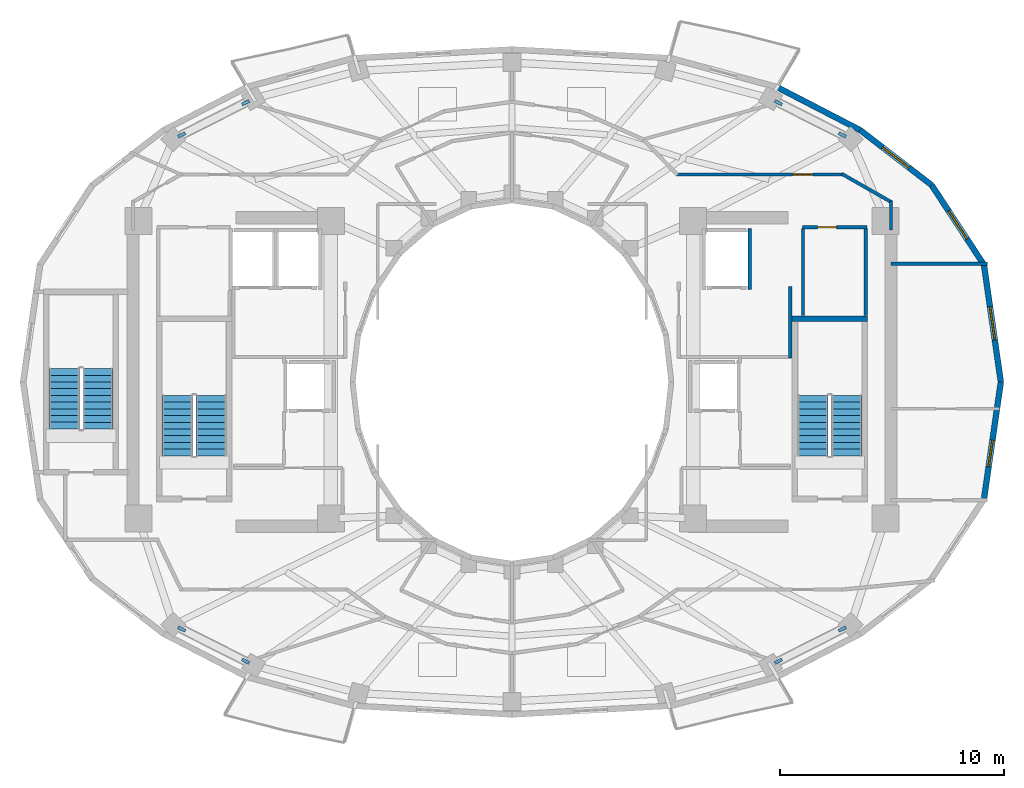
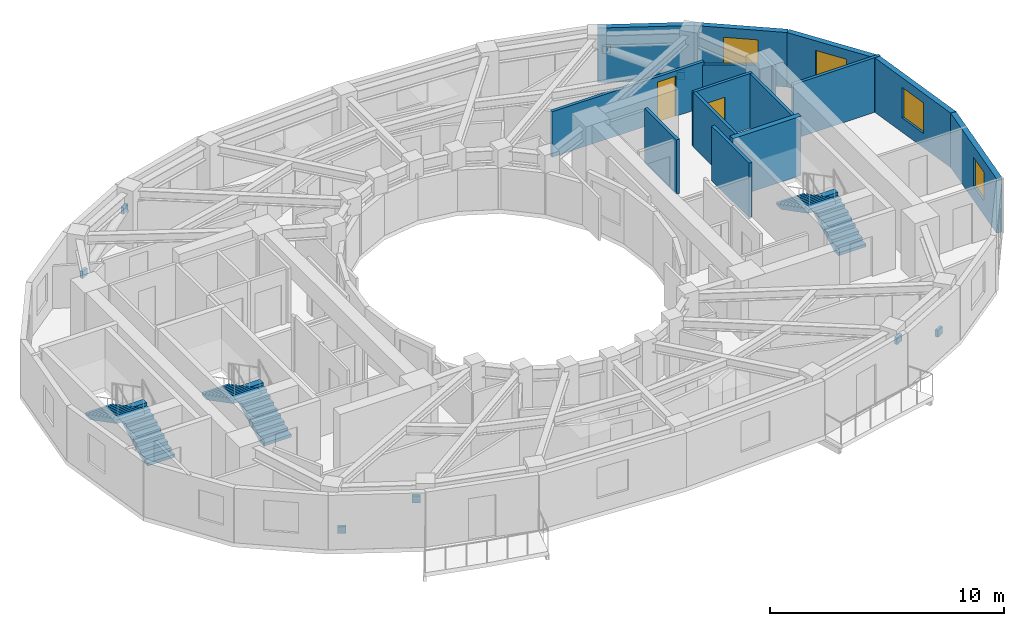
# One storey, part 7 of 10: 15 walls, 8 discrete accessories, 6 stair flights, 4 windows, 2 doors, 6 openings, 3 elements without a shape of their own.
"""IFC4 building model written with IfcOpenShell, lengths in metres."""

from ifc_helpers import new_model, si_unit, direction, frame, frame_2d, origin, origin_2d, place, context, subcontext, project, spatial, polyline, rectangle, outline, extrude, material, layer, layer_set, type_object, element, fill, aggregate, save


model = new_model("IFC4")

# Units and contexts
model_context = context("Model", 3, precision=1e-05, world=origin(), true_north=direction((0.0, 1.0)))
body_context = subcontext(model_context, "Body", "Model", "MODEL_VIEW")
ifc_project = project(units=[si_unit("LENGTHUNIT", "METRE"), si_unit("AREAUNIT", "SQUARE_METRE"), si_unit("VOLUMEUNIT", "CUBIC_METRE"), si_unit("PLANEANGLEUNIT", "RADIAN"), si_unit("MASSUNIT", "GRAM", prefix="KILO")], contexts=[model_context])

# Site, building, storey
site_placement = place(None, origin())
site = spatial("IfcSite", under=ifc_project, at=site_placement, CompositionType="ELEMENT")
building_placement = place(site_placement, origin())
building = spatial("IfcBuilding", under=site, at=building_placement, Name="Solvane Sanctuary Tower", CompositionType="ELEMENT")
storey_placement = place(building_placement, frame((0.0, 0.0, 204.699951171875)))
storey = spatial("IfcBuildingStorey", under=building, at=storey_placement, Name="L62", CompositionType="ELEMENT", Elevation=204.699951171875)

# Walls
ifc_material_1 = material(Name="Acoustic Gypsum Partition Board")
ifc_layer_1 = layer(ifc_material_1, 0.14990234375, Name="Acoustic Gypsum Partition Board")
ifc_layer_set_1 = layer_set([ifc_layer_1], Name="Acoustic Gypsum Partition Board")
wall_type_1 = type_object("IfcWallType", Name="Wall W-CORR-150", PredefinedType="PARTITIONING", material=ifc_layer_set_1)
wall_1_placement = place(storey_placement, frame((44.449951171875, 24.080078125, 0.0), z_axis=(0.0, 0.0, 1.0), x_axis=(0.0, 1.0, 0.0)))
element("IfcWall", 1, at=wall_1_placement, inside=storey, type_object=wall_type_1, Name="L62 East Firefighting Lobby East Wall", PredefinedType="PARTITIONING", context=body_context, shape_type="SweptSolid", body=[
    extrude(rectangle(XDim=3.199951171875, YDim=0.14990234375, at=frame_2d((1.60009765625, 0.0))), origin(), (0.0, 0.0, 1.0), 2.85498046875),
])
wall_2_placement = place(storey_placement, frame((48.949951171875, 28.281494140625, 0.0), z_axis=(0.0, 0.0, 1.0), x_axis=(1.0, 0.0, 0.0)))
element("IfcWall", 2, at=wall_2_placement, inside=storey, type_object=wall_type_1, Name="L62 East Shoulder North Wall", PredefinedType="PARTITIONING", context=body_context, shape_type="SweptSolid", body=[
    extrude(rectangle(XDim=4.3203125, YDim=0.14990234375, at=frame_2d((2.16015625, 0.0))), origin(), (0.0, 0.0, 1.0), 2.85498046875),
])
wall_3_placement = place(storey_placement, frame((48.949951171875, 29.800048828125, 0.0), z_axis=(0.0, 0.0, 1.0), x_axis=(0.0, 1.0, 0.0)))
element("IfcWall", 3, at=wall_3_placement, inside=storey, type_object=wall_type_1, Name="L62 NE Corner Closer 1", PredefinedType="PARTITIONING", context=body_context, shape_type="SweptSolid", body=[
    extrude(rectangle(XDim=1.2900390625, YDim=0.14990234375, at=frame_2d((0.64501953125, 0.0))), origin(), (0.0, 0.0, 1.0), 2.85498046875),
])

# Wall, opening, door
wall_4_placement = place(storey_placement, frame((39.330078125, 32.280029296875, 0.0), z_axis=(0.0, 0.0, 1.0), x_axis=(1.0, 0.0, 0.0)))
wall_4 = element("IfcWall", 4, at=wall_4_placement, inside=storey, type_object=wall_type_1, Name="L62 NE Corner Corridor Wall", PredefinedType="PARTITIONING", context=body_context, shape_type="SweptSolid", body=[
    extrude(rectangle(XDim=7.52001953125, YDim=0.14990234375, at=frame_2d((3.760009765625, 0.0))), origin(), (0.0, 0.0, 1.0), 2.3759765625),
])
opening_1_placement = place(wall_4_placement, frame((5.219970703125, 0.0, 0.0)))
opening_1 = element("IfcOpeningElement", 5, at=opening_1_placement, cuts=wall_4, Name="Opening D-L62-22", PredefinedType="OPENING", context=body_context, shape_type="SweptSolid", body=[
    extrude(rectangle(XDim=0.89990234375, YDim=2.10009765625, at=frame_2d((0.449951171875, 1.050048828125))), frame((0.0, 0.0849609375, 0.0), z_axis=(0.0, -1.0, 0.0), x_axis=(1.0, 0.0, 0.0)), (0.0, 0.0, 1.0), 0.169921875),
])
ifc_material_2 = material(Name="Engineered Tropical Hardwood", Category="wood")
door_type_1 = type_object("IfcDoorType", Name="Door D-WET-900", OperationType="NOTDEFINED", PredefinedType="DOOR", material=ifc_material_2)
door_1_placement = place(opening_1_placement, origin())
door_1 = element("IfcDoor", 6, at=door_1_placement, inside=storey, type_object=door_type_1, Name="L62 NE Corner Salon Door", OperationType="SINGLE_SWING_LEFT", OverallHeight=2.10009765625, OverallWidth=0.89990234375, PredefinedType="DOOR", context=body_context, shape_type="SweptSolid", body=[
    extrude(rectangle(XDim=0.89990234375, YDim=2.10009765625, at=frame_2d((0.449951171875, 1.050048828125))), frame((0.0, 0.02490234375, 0.0), z_axis=(0.0, -1.0, 0.0), x_axis=(1.0, 0.0, 0.0)), (0.0, 0.0, 1.0), 0.050048828125),
])
fill(opening_1, door_1)

# Wall
wall_5_placement = place(storey_placement, frame((46.756591796875, 32.3046875, 0.0), z_axis=(0.0, 0.0, 1.0), x_axis=(0.867991349648, -0.496579315857, 0.0)))
element("IfcWall", 7, at=wall_5_placement, inside=storey, type_object=wall_type_1, Name="L62 NE Corner Wing Wall", PredefinedType="PARTITIONING", context=body_context, shape_type="SweptSolid", body=[
    extrude(rectangle(XDim=2.56689453125, YDim=0.14990234375, at=frame_2d((1.283447265625, 0.0))), origin(), (0.0, 0.0, 1.0), 2.219970703125),
])

# Wall, opening, window
ifc_material_3 = material(Name="Precast concrete C40/50", Category="concrete")
ifc_layer_2 = layer(ifc_material_3, 0.260009765625, Name="Precast concrete C40/50")
ifc_layer_set_2 = layer_set([ifc_layer_2], Name="Precast concrete C40/50")
wall_type_2 = type_object("IfcWallType", Name="Wall W-EXT-250", PredefinedType="STANDARD", material=ifc_layer_set_2)
wall_6_placement = place(storey_placement, frame((53.860107421875, 23.0, 0.0), z_axis=(0.0, 0.0, 1.0), x_axis=(-0.142712754019, 0.989764148593, 0.0)))
wall_6 = element("IfcWall", 8, at=wall_6_placement, inside=storey, type_object=wall_type_2, Name="L62 Ceramic-Printed Facade Wall 00", PredefinedType="STANDARD", context=body_context, shape_type="SweptSolid", body=[
    extrude(rectangle(XDim=5.29296875, YDim=0.260009765625, at=frame_2d((2.646484375, 0.0))), origin(), (0.0, 0.0, 1.0), 2.85009765625),
])
opening_2_placement = place(wall_6_placement, frame((1.896484375, 0.0, 0.75)))
opening_2 = element("IfcOpeningElement", 9, at=opening_2_placement, cuts=wall_6, Name="Opening WN-OPER-1500", PredefinedType="OPENING", context=body_context, shape_type="SweptSolid", body=[
    extrude(rectangle(XDim=1.5, YDim=1.60009765625, at=frame_2d((0.75, 0.800048828125))), frame((0.0, 0.139892578125, 0.0), z_axis=(0.0, -1.0, 0.0), x_axis=(1.0, 0.0, 0.0)), (0.0, 0.0, 1.0), 0.280029296875),
])
ifc_material_4 = material(Name="Dark Ceramic-Fritted Low-E Glass", Category="glass")
window_type_1 = type_object("IfcWindowType", Name="Window WN-OPER-1500", PartitioningType="SINGLE_PANEL", PredefinedType="WINDOW", material=ifc_material_4)
window_1_placement = place(opening_2_placement, origin())
window_1 = element("IfcWindow", 10, at=window_1_placement, inside=storey, type_object=window_type_1, Name="L62 Operable Facade Window 00", OverallHeight=1.60009765625, OverallWidth=1.5, PartitioningType="SINGLE_PANEL", PredefinedType="WINDOW", context=body_context, shape_type="SweptSolid", body=[
    extrude(rectangle(XDim=1.5, YDim=1.60009765625, at=frame_2d((0.75, 0.800048828125))), frame((0.0, 0.030029296875, 0.0), z_axis=(0.0, -1.0, 0.0), x_axis=(1.0, 0.0, 0.0)), (0.0, 0.0, 1.0), 0.06005859375),
])
fill(opening_2, window_1)

wall_7_placement = place(storey_placement, frame((53.104736328125, 28.23876953125, 0.0), z_axis=(0.0, 0.0, 1.0), x_axis=(-0.548776305075, 0.835969238064, 0.0)))
wall_7 = element("IfcWall", 11, at=wall_7_placement, inside=storey, type_object=wall_type_2, Name="L62 Ceramic-Printed Facade Wall 01", PredefinedType="STANDARD", context=body_context, shape_type="SweptSolid", body=[
    extrude(rectangle(XDim=4.270751953125, YDim=0.260009765625, at=frame_2d((2.13525390625, 0.0))), origin(), (0.0, 0.0, 1.0), 2.85009765625),
])
opening_3_placement = place(wall_7_placement, frame((1.385498046875, 0.0, 0.75)))
opening_3 = element("IfcOpeningElement", 12, at=opening_3_placement, cuts=wall_7, Name="Opening WN-OPER-1500", PredefinedType="OPENING", context=body_context, shape_type="SweptSolid", body=[
    extrude(rectangle(XDim=1.5, YDim=1.60009765625, at=frame_2d((0.75, 0.800048828125))), frame((0.0, 0.139892578125, 0.0), z_axis=(0.0, -1.0, 0.0), x_axis=(1.0, 0.0, 0.0)), (0.0, 0.0, 1.0), 0.280029296875),
])
window_2_placement = place(opening_3_placement, origin())
window_2 = element("IfcWindow", 13, at=window_2_placement, inside=storey, type_object=window_type_1, Name="L62 Operable Facade Window 01", OverallHeight=1.60009765625, OverallWidth=1.5, PartitioningType="SINGLE_PANEL", PredefinedType="WINDOW", context=body_context, shape_type="SweptSolid", body=[
    extrude(rectangle(XDim=1.5, YDim=1.60009765625, at=frame_2d((0.75, 0.800048828125))), frame((0.0, 0.030029296875, 0.0), z_axis=(0.0, -1.0, 0.0), x_axis=(1.0, 0.0, 0.0)), (0.0, 0.0, 1.0), 0.06005859375),
])
fill(opening_3, window_2)

wall_8_placement = place(storey_placement, frame((50.760986328125, 31.80908203125, 0.0), z_axis=(0.0, 0.0, 1.0), x_axis=(-0.792713817907, 0.609593965603, 0.0)))
wall_8 = element("IfcWall", 14, at=wall_8_placement, inside=storey, type_object=wall_type_2, Name="L62 Ceramic-Printed Facade Wall 02", PredefinedType="STANDARD", context=body_context, shape_type="SweptSolid", body=[
    extrude(rectangle(XDim=4.041015625, YDim=0.260009765625, at=frame_2d((2.0205078125, 0.0))), origin(), (0.0, 0.0, 1.0), 2.85009765625),
])
opening_4_placement = place(wall_8_placement, frame((1.2705078125, 0.0, 0.75)))
opening_4 = element("IfcOpeningElement", 15, at=opening_4_placement, cuts=wall_8, Name="Opening WN-OPER-1500", PredefinedType="OPENING", context=body_context, shape_type="SweptSolid", body=[
    extrude(rectangle(XDim=1.5, YDim=1.60009765625, at=frame_2d((0.75, 0.800048828125))), frame((0.0, 0.139892578125, 0.0), z_axis=(0.0, -1.0, 0.0), x_axis=(1.0, 0.0, 0.0)), (0.0, 0.0, 1.0), 0.280029296875),
])
window_3_placement = place(opening_4_placement, origin())
window_3 = element("IfcWindow", 16, at=window_3_placement, inside=storey, type_object=window_type_1, Name="L62 Operable Facade Window 02", OverallHeight=1.60009765625, OverallWidth=1.5, PartitioningType="SINGLE_PANEL", PredefinedType="WINDOW", context=body_context, shape_type="SweptSolid", body=[
    extrude(rectangle(XDim=1.5, YDim=1.60009765625, at=frame_2d((0.75, 0.800048828125))), frame((0.0, 0.030029296875, 0.0), z_axis=(0.0, -1.0, 0.0), x_axis=(1.0, 0.0, 0.0)), (0.0, 0.0, 1.0), 0.06005859375),
])
fill(opening_4, window_3)

# Wall
wall_9_placement = place(storey_placement, frame((47.5576171875, 34.2724609375, 0.0), z_axis=(0.0, 0.0, 1.0), x_axis=(-0.88849146803, 0.458893137057, 0.0)))
element("IfcWall", 17, at=wall_9_placement, inside=storey, type_object=wall_type_2, Name="L62 Ceramic-Printed Facade Wall 03", PredefinedType="STANDARD", context=body_context, shape_type="SweptSolid", body=[
    extrude(rectangle(XDim=4.150390625, YDim=0.260009765625, at=frame_2d((2.0751953125, 0.0))), origin(), (0.0, 0.0, 1.0), 2.85009765625),
])

# Wall, opening, window
wall_10_placement = place(storey_placement, frame((53.104736328125, 17.76123046875, 0.0), z_axis=(0.0, 0.0, 1.0), x_axis=(0.142712754019, 0.989764148593, 0.0)))
wall_10 = element("IfcWall", 18, at=wall_10_placement, inside=storey, type_object=wall_type_2, Name="L62 Ceramic-Printed Facade Wall 23", PredefinedType="STANDARD", context=body_context, shape_type="SweptSolid", body=[
    extrude(rectangle(XDim=5.29296875, YDim=0.260009765625, at=frame_2d((2.646484375, 0.0))), origin(), (0.0, 0.0, 1.0), 2.85009765625),
])
opening_5_placement = place(wall_10_placement, frame((1.46533203125, 0.0, 0.75)))
opening_5 = element("IfcOpeningElement", 19, at=opening_5_placement, cuts=wall_10, Name="Opening WN-OPER-1200", PredefinedType="OPENING", context=body_context, shape_type="SweptSolid", body=[
    extrude(rectangle(XDim=1.199951171875, YDim=1.5, at=frame_2d((0.60009765625, 0.75))), frame((0.0, 0.139892578125, 0.0), z_axis=(0.0, -1.0, 0.0), x_axis=(1.0, 0.0, 0.0)), (0.0, 0.0, 1.0), 0.280029296875),
])
window_type_2 = type_object("IfcWindowType", Name="Window WN-OPER-1200", PartitioningType="SINGLE_PANEL", PredefinedType="WINDOW", material=ifc_material_4)
window_4_placement = place(opening_5_placement, origin())
window_4 = element("IfcWindow", 20, at=window_4_placement, inside=storey, type_object=window_type_2, Name="L62 Operable Facade Window 23", OverallHeight=1.5, OverallWidth=1.199951171875, PartitioningType="SINGLE_PANEL", PredefinedType="WINDOW", context=body_context, shape_type="SweptSolid", body=[
    extrude(rectangle(XDim=1.199951171875, YDim=1.5, at=frame_2d((0.60009765625, 0.75))), frame((0.0, 0.030029296875, 0.0), z_axis=(0.0, -1.0, 0.0), x_axis=(1.0, 0.0, 0.0)), (0.0, 0.0, 1.0), 0.06005859375),
])
fill(opening_5, window_4)

# Walls
ifc_material_5 = material(Name="Concrete C50/60", Category="concrete")
ifc_layer_3 = layer(ifc_material_5, 0.14990234375, Name="Concrete C50/60")
ifc_layer_set_3 = layer_set([ifc_layer_3], Name="Concrete C50/60")
wall_type_3 = type_object("IfcWallType", Name="Wall W-SHAFT-150", PredefinedType="SOLIDWALL", material=ifc_layer_set_3)
wall_11_placement = place(storey_placement, frame((42.6298828125, 27.139892578125, 0.0), z_axis=(0.0, 0.0, 1.0), x_axis=(0.0, 1.0, 0.0)))
element("IfcWall", 21, at=wall_11_placement, inside=storey, type_object=wall_type_3, Name="L62 FFL-2 Lift Shaft Wall S2", PredefinedType="SOLIDWALL", context=body_context, shape_type="SweptSolid", body=[
    extrude(rectangle(XDim=2.72021484375, YDim=0.14990234375, at=frame_2d((1.360107421875, 0.0))), origin(), (0.0, 0.0, 1.0), 2.85498046875),
])
ifc_layer_4 = layer(ifc_material_5, 0.25, Name="Concrete C50/60")
ifc_layer_set_4 = layer_set([ifc_layer_4], Name="Concrete C50/60")
wall_type_4 = type_object("IfcWallType", Name="Wall W-SHAFT-250", PredefinedType="SOLIDWALL", material=ifc_layer_set_4)
wall_12_placement = place(storey_placement, frame((44.52490234375, 25.830078125, 0.0), z_axis=(0.0, 0.0, 1.0), x_axis=(1.0, 0.0, 0.0)))
element("IfcWall", 22, at=wall_12_placement, inside=storey, type_object=wall_type_4, Name="L62 ST-2 Load-Bearing Shaft Wall N", PredefinedType="SOLIDWALL", context=body_context, shape_type="SweptSolid", body=[
    extrude(rectangle(XDim=3.3701171875, YDim=0.25, at=frame_2d((1.68505859375, 0.0))), origin(), (0.0, 0.0, 1.0), 3.10009765625),
])

# Wall, opening, door
ifc_layer_5 = layer(ifc_material_1, 0.139892578125, Name="Acoustic Gypsum Partition Board")
ifc_layer_set_5 = layer_set([ifc_layer_5], Name="Acoustic Gypsum Partition Board")
wall_type_5 = type_object("IfcWallType", Name="Wall W-WET-140", PredefinedType="PLUMBINGWALL", material=ifc_layer_set_5)
wall_13_placement = place(storey_placement, frame((44.97998046875, 29.919921875, 0.0), z_axis=(0.0, 0.0, 1.0), x_axis=(1.0, 0.0, 0.0)))
wall_13 = element("IfcWall", 23, at=wall_13_placement, inside=storey, type_object=wall_type_5, Name="L62 Core Service Front Wall KE0", PredefinedType="PLUMBINGWALL", context=body_context, shape_type="SweptSolid", body=[
    extrude(rectangle(XDim=2.89990234375, YDim=0.139892578125, at=frame_2d((1.449951171875, 0.0))), origin(), (0.0, 0.0, 1.0), 2.85498046875),
])
opening_6_placement = place(wall_13_placement, frame((0.685546875, 0.0, 0.0)))
opening_6 = element("IfcOpeningElement", 24, at=opening_6_placement, cuts=wall_13, Name="Opening D-L62-15", PredefinedType="OPENING", context=body_context, shape_type="SweptSolid", body=[
    extrude(rectangle(XDim=0.85009765625, YDim=2.050048828125, at=frame_2d((0.425048828125, 1.02490234375))), frame((0.0, 0.079833984375, 0.0), z_axis=(0.0, -1.0, 0.0), x_axis=(1.0, 0.0, 0.0)), (0.0, 0.0, 1.0), 0.159912109375),
])
ifc_material_6 = material(Name="Architectural Stainless Steel 316", Category="steel")
door_type_2 = type_object("IfcDoorType", Name="Door D-RISER", OperationType="NOTDEFINED", PredefinedType="DOOR", material=ifc_material_6)
door_2_placement = place(opening_6_placement, origin())
door_2 = element("IfcDoor", 25, at=door_2_placement, inside=storey, type_object=door_type_2, Name="L62 Core Service Room Door KE0-1", OperationType="SINGLE_SWING_RIGHT", OverallHeight=2.050048828125, OverallWidth=0.85009765625, PredefinedType="DOOR", context=body_context, shape_type="SweptSolid", body=[
    extrude(rectangle(XDim=0.85009765625, YDim=2.050048828125, at=frame_2d((0.425048828125, 1.02490234375))), frame((0.0, 0.02490234375, 0.0), z_axis=(0.0, -1.0, 0.0), x_axis=(1.0, 0.0, 0.0)), (0.0, 0.0, 1.0), 0.050048828125),
])
fill(opening_6, door_2)

# Walls
for number, where, z_axis, x_axis, name in (
    (26, (45.02001953125, 25.97998046875, 0.0), (0.0, 0.0, 1.0), (0.0, 1.0, 0.0), "L62 Core Service Side Wall KE0-1"),
    (27, (47.820068359375, 25.97998046875, 0.0), (0.0, 0.0, 1.0), (0.0, 1.0, 0.0), "L62 Core Service Side Wall KE0-2"),
):
    element("IfcWall", number, at=place(storey_placement, frame(where, z_axis=z_axis, x_axis=x_axis)), inside=storey, type_object=wall_type_5, Name=name, PredefinedType="PLUMBINGWALL", context=body_context, shape_type="SweptSolid", body=[
        extrude(rectangle(XDim=3.880126953125, YDim=0.139892578125, at=frame_2d((1.93994140625, 0.0))), origin(), (0.0, 0.0, 1.0), 2.85498046875),
    ])

# Stair, stair flights
ifc_material_7 = material(Name="Concrete C45/55", Category="concrete")
stair_type = type_object("IfcStairType", Name="Stair ST-TOW", PredefinedType="HALF_TURN_STAIR", material=ifc_material_7)
stair_1_placement = place(storey_placement, origin())
stair_1 = element("IfcStair", 28, at=stair_1_placement, inside=storey, type_object=stair_type, Name="L62 Exit Stair ST-1 West Core", PredefinedType="HALF_TURN_STAIR")
stair_flight_type = type_object("IfcStairFlightType", Name="StairFlight SF-TOW", PredefinedType="STRAIGHT", material=ifc_material_7)
stair_flight_1_placement = place(storey_placement, frame((18.544921875, 19.699951171875, 0.0), z_axis=(0.0, 0.0, 1.0), x_axis=(0.0, 1.0, 0.0)))
stair_flight_1 = element("IfcStairFlight", 29, at=stair_flight_1_placement, type_object=stair_flight_type, Name="ST-1 flight 1", NumberOfRisers=10, NumberOfTreads=9, PredefinedType="STRAIGHT", RiserHeight=0.155, TreadLength=0.3, context=body_context, shape_type="SweptSolid", body=[
    extrude(outline(polyline([(0.0, 0.0), (0.0, 0.155029296875), (0.300048828125, 0.155029296875), (0.300048828125, 0.31005859375), (0.60009765625, 0.31005859375), (0.60009765625, 0.465087890625), (0.89990234375, 0.465087890625), (0.89990234375, 0.6201171875), (1.199951171875, 0.6201171875), (1.199951171875, 0.77490234375), (1.5, 0.77490234375), (1.5, 0.929931640625), (1.800048828125, 0.929931640625), (1.800048828125, 1.0849609375), (2.10009765625, 1.0849609375), (2.10009765625, 1.239990234375), (2.39990234375, 1.239990234375), (2.39990234375, 1.39501953125), (2.699951171875, 1.39501953125), (2.699951171875, 1.550048828125), (2.699951171875, 1.1923828125), (0.39208984375, 0.0), (0.0, 0.0)])), frame((0.0, 0.675048828125, 0.0), z_axis=(0.0, -1.0, 0.0), x_axis=(1.0, 0.0, 0.0)), (0.0, 0.0, 1.0), 1.35009765625),
])
stair_flight_2_placement = place(storey_placement, frame((17.034912109375, 22.39990234375, 1.550048828125), z_axis=(0.0, 0.0, 1.0), x_axis=(0.0, -1.0, 0.0)))
stair_flight_2 = element("IfcStairFlight", 30, at=stair_flight_2_placement, type_object=stair_flight_type, Name="ST-1 flight 2", NumberOfRisers=10, NumberOfTreads=9, PredefinedType="STRAIGHT", RiserHeight=0.155, TreadLength=0.3, context=body_context, shape_type="SweptSolid", body=[
    extrude(outline(polyline([(0.0, 0.0), (0.0, 0.155029296875), (0.300048828125, 0.155029296875), (0.300048828125, 0.31005859375), (0.60009765625, 0.31005859375), (0.60009765625, 0.465087890625), (0.89990234375, 0.465087890625), (0.89990234375, 0.6201171875), (1.199951171875, 0.6201171875), (1.199951171875, 0.77490234375), (1.5, 0.77490234375), (1.5, 0.929931640625), (1.800048828125, 0.929931640625), (1.800048828125, 1.0849609375), (2.10009765625, 1.0849609375), (2.10009765625, 1.239990234375), (2.39990234375, 1.239990234375), (2.39990234375, 1.39501953125), (2.699951171875, 1.39501953125), (2.699951171875, 1.550048828125), (2.699951171875, 1.1923828125), (0.39208984375, 0.0), (0.0, 0.0)])), frame((0.0, 0.675048828125, 0.0), z_axis=(0.0, -1.0, 0.0), x_axis=(1.0, 0.0, 0.0)), (0.0, 0.0, 1.0), 1.35009765625),
])
aggregate(stair_1, [stair_flight_1, stair_flight_2])

stair_2_placement = place(storey_placement, origin())
stair_2 = element("IfcStair", 31, at=stair_2_placement, inside=storey, type_object=stair_type, Name="L62 Exit Stair ST-2 East Core", PredefinedType="HALF_TURN_STAIR")
stair_flight_3_placement = place(storey_placement, frame((46.965087890625, 19.699951171875, 0.0), z_axis=(0.0, 0.0, 1.0), x_axis=(0.0, 1.0, 0.0)))
stair_flight_3 = element("IfcStairFlight", 32, at=stair_flight_3_placement, type_object=stair_flight_type, Name="ST-2 flight 1", NumberOfRisers=10, NumberOfTreads=9, PredefinedType="STRAIGHT", RiserHeight=0.155, TreadLength=0.3, context=body_context, shape_type="SweptSolid", body=[
    extrude(outline(polyline([(0.0, 0.0), (0.0, 0.155029296875), (0.300048828125, 0.155029296875), (0.300048828125, 0.31005859375), (0.60009765625, 0.31005859375), (0.60009765625, 0.465087890625), (0.89990234375, 0.465087890625), (0.89990234375, 0.6201171875), (1.199951171875, 0.6201171875), (1.199951171875, 0.77490234375), (1.5, 0.77490234375), (1.5, 0.929931640625), (1.800048828125, 0.929931640625), (1.800048828125, 1.0849609375), (2.10009765625, 1.0849609375), (2.10009765625, 1.239990234375), (2.39990234375, 1.239990234375), (2.39990234375, 1.39501953125), (2.699951171875, 1.39501953125), (2.699951171875, 1.550048828125), (2.699951171875, 1.1923828125), (0.39208984375, 0.0), (0.0, 0.0)])), frame((0.0, 0.675048828125, 0.0), z_axis=(0.0, -1.0, 0.0), x_axis=(1.0, 0.0, 0.0)), (0.0, 0.0, 1.0), 1.35009765625),
])
stair_flight_4_placement = place(storey_placement, frame((45.455078125, 22.39990234375, 1.550048828125), z_axis=(0.0, 0.0, 1.0), x_axis=(0.0, -1.0, 0.0)))
stair_flight_4 = element("IfcStairFlight", 33, at=stair_flight_4_placement, type_object=stair_flight_type, Name="ST-2 flight 2", NumberOfRisers=10, NumberOfTreads=9, PredefinedType="STRAIGHT", RiserHeight=0.155, TreadLength=0.3, context=body_context, shape_type="SweptSolid", body=[
    extrude(outline(polyline([(0.0, 0.0), (0.0, 0.155029296875), (0.300048828125, 0.155029296875), (0.300048828125, 0.31005859375), (0.60009765625, 0.31005859375), (0.60009765625, 0.465087890625), (0.89990234375, 0.465087890625), (0.89990234375, 0.6201171875), (1.199951171875, 0.6201171875), (1.199951171875, 0.77490234375), (1.5, 0.77490234375), (1.5, 0.929931640625), (1.800048828125, 0.929931640625), (1.800048828125, 1.0849609375), (2.10009765625, 1.0849609375), (2.10009765625, 1.239990234375), (2.39990234375, 1.239990234375), (2.39990234375, 1.39501953125), (2.699951171875, 1.39501953125), (2.699951171875, 1.550048828125), (2.699951171875, 1.1923828125), (0.39208984375, 0.0), (0.0, 0.0)])), frame((0.0, 0.675048828125, 0.0), z_axis=(0.0, -1.0, 0.0), x_axis=(1.0, 0.0, 0.0)), (0.0, 0.0, 1.0), 1.35009765625),
])
aggregate(stair_2, [stair_flight_3, stair_flight_4])

stair_3_placement = place(storey_placement, origin())
stair_3 = element("IfcStair", 34, at=stair_3_placement, inside=storey, type_object=stair_type, Name="L62 Exit Stair ST-3 Pilgrim Tower Stair", PredefinedType="HALF_TURN_STAIR")
stair_flight_5_placement = place(storey_placement, frame((13.485107421875, 20.89990234375, 0.0), z_axis=(0.0, 0.0, 1.0), x_axis=(0.0, 1.0, 0.0)))
stair_flight_5 = element("IfcStairFlight", 35, at=stair_flight_5_placement, type_object=stair_flight_type, Name="ST-3 flight 1", NumberOfRisers=10, NumberOfTreads=9, PredefinedType="STRAIGHT", RiserHeight=0.155, TreadLength=0.3, context=body_context, shape_type="SweptSolid", body=[
    extrude(outline(polyline([(0.0, 0.0), (0.0, 0.155029296875), (0.300048828125, 0.155029296875), (0.300048828125, 0.31005859375), (0.60009765625, 0.31005859375), (0.60009765625, 0.465087890625), (0.89990234375, 0.465087890625), (0.89990234375, 0.6201171875), (1.199951171875, 0.6201171875), (1.199951171875, 0.77490234375), (1.5, 0.77490234375), (1.5, 0.929931640625), (1.800048828125, 0.929931640625), (1.800048828125, 1.0849609375), (2.10009765625, 1.0849609375), (2.10009765625, 1.239990234375), (2.39990234375, 1.239990234375), (2.39990234375, 1.39501953125), (2.699951171875, 1.39501953125), (2.699951171875, 1.550048828125), (2.699951171875, 1.1923828125), (0.39208984375, 0.0), (0.0, 0.0)])), frame((0.0, 0.675048828125, 0.0), z_axis=(0.0, -1.0, 0.0), x_axis=(1.0, 0.0, 0.0)), (0.0, 0.0, 1.0), 1.35009765625),
])
stair_flight_6_placement = place(storey_placement, frame((11.97509765625, 23.60009765625, 1.550048828125), z_axis=(0.0, 0.0, 1.0), x_axis=(0.0, -1.0, 0.0)))
stair_flight_6 = element("IfcStairFlight", 36, at=stair_flight_6_placement, type_object=stair_flight_type, Name="ST-3 flight 2", NumberOfRisers=10, NumberOfTreads=9, PredefinedType="STRAIGHT", RiserHeight=0.155, TreadLength=0.3, context=body_context, shape_type="SweptSolid", body=[
    extrude(outline(polyline([(0.0, 0.0), (0.0, 0.155029296875), (0.300048828125, 0.155029296875), (0.300048828125, 0.31005859375), (0.60009765625, 0.31005859375), (0.60009765625, 0.465087890625), (0.89990234375, 0.465087890625), (0.89990234375, 0.6201171875), (1.199951171875, 0.6201171875), (1.199951171875, 0.77490234375), (1.5, 0.77490234375), (1.5, 0.929931640625), (1.800048828125, 0.929931640625), (1.800048828125, 1.0849609375), (2.10009765625, 1.0849609375), (2.10009765625, 1.239990234375), (2.39990234375, 1.239990234375), (2.39990234375, 1.39501953125), (2.699951171875, 1.39501953125), (2.699951171875, 1.550048828125), (2.699951171875, 1.1923828125), (0.39208984375, 0.0), (0.0, 0.0)])), frame((0.0, 0.675048828125, 0.0), z_axis=(0.0, -1.0, 0.0), x_axis=(1.0, 0.0, 0.0)), (0.0, 0.0, 1.0), 1.35009765625),
])
aggregate(stair_3, [stair_flight_5, stair_flight_6])

# Discrete accessories
ifc_material_8 = material(Name="Steel ASTM A572 Grade 50", Category="steel")
ifc_layer_6 = layer(ifc_material_8, 0.360107421875, Name="Steel ASTM A572 Grade 50")
ifc_layer_set_6 = layer_set([ifc_layer_6], Name="Steel ASTM A572 Grade 50")
discrete_accessory_type = type_object("IfcDiscreteAccessoryType", Name="Accessory ACC-GUSSET-BRK", PredefinedType="BRACKET", material=ifc_layer_set_6)
for number, where, z_axis, x_axis, name in (
    (37, (46.76513671875, 34.049072265625, 0.39794921875), (0.0, 0.0, 1.0), (-0.892349617181, 0.451344835704, 0.0), "L62 Perimeter Braced-Tube Diagonal NE End Gusset Bracket A"),
    (38, (43.916748046875, 35.48974609375, 1.8818359375), (0.0, 0.0, 1.0), (-0.892349617181, 0.451344835704, 0.0), "L62 Perimeter Braced-Tube Diagonal NE End Gusset Bracket B"),
    (39, (17.23486328125, 34.049072265625, 0.39794921875), (0.0, 0.0, 1.0), (0.892349617181, 0.451344835704, 0.0), "L62 Perimeter Braced-Tube Diagonal NW End Gusset Bracket A"),
    (40, (20.083251953125, 35.48974609375, 1.8818359375), (0.0, 0.0, 1.0), (0.892349617181, 0.451344835704, 0.0), "L62 Perimeter Braced-Tube Diagonal NW End Gusset Bracket B"),
    (41, (17.23486328125, 11.950927734375, 0.39794921875), (0.0, 0.0, 1.0), (0.892349617181, -0.451344835704, 0.0), "L62 Perimeter Braced-Tube Diagonal SW End Gusset Bracket A"),
    (42, (20.083251953125, 10.51025390625, 1.8818359375), (0.0, 0.0, 1.0), (0.892349617181, -0.451344835704, 0.0), "L62 Perimeter Braced-Tube Diagonal SW End Gusset Bracket B"),
    (43, (46.76513671875, 11.950927734375, 0.39794921875), (0.0, 0.0, 1.0), (-0.892349617181, -0.451344835704, 0.0), "L62 Perimeter Braced-Tube Diagonal SE End Gusset Bracket A"),
    (44, (43.916748046875, 10.51025390625, 1.8818359375), (0.0, 0.0, 1.0), (-0.892349617181, -0.451344835704, 0.0), "L62 Perimeter Braced-Tube Diagonal SE End Gusset Bracket B"),
):
    element("IfcDiscreteAccessory", number, at=place(storey_placement, frame(where, z_axis=z_axis, x_axis=x_axis)), inside=storey, type_object=discrete_accessory_type, Name=name, PredefinedType="BRACKET", context=body_context, shape_type="SweptSolid", body=[
        extrude(rectangle(XDim=0.360107421875, YDim=0.139892578125, at=origin_2d()), origin(), (0.0, 0.0, 1.0), 0.360107421875),
    ])

save(model, "model.ifc")
